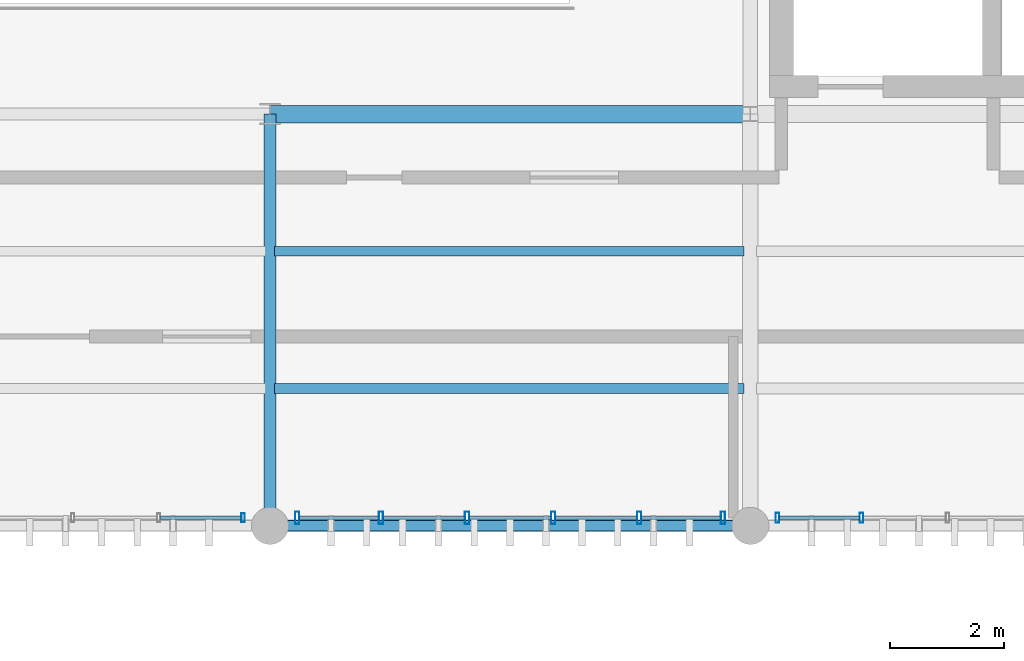
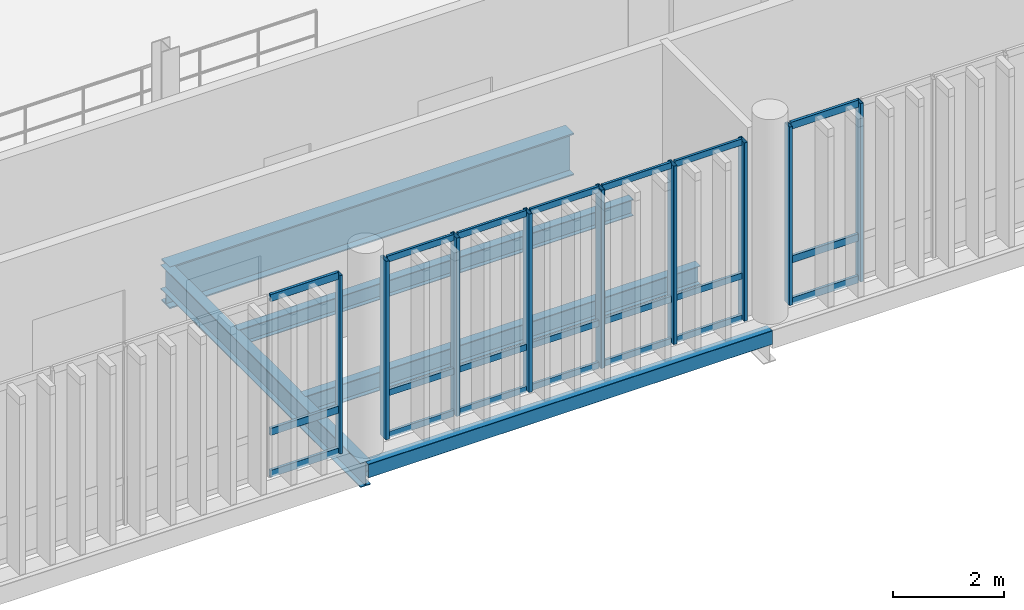
# One storey, part 23 of 66: 30 members, 5 beams, 3 elements without a shape of their own.
"""IFC4 building model written with IfcOpenShell, lengths in metres."""

from ifc_helpers import new_model, si_unit, direction, frame, origin_with_axes, origin_2d_with_axis, place, context, subcontext, project, spatial, hollow_rectangle, i_section, extrude, material, material_profile, profile_set, type_object, element, aggregate, save


model = new_model("IFC4")

# Units and contexts
model_context = context("Model", 3, precision=1e-05, world=origin_with_axes(), true_north=direction((0.0, 1.0)))
body_context = subcontext(model_context, "Body", "Model", "MODEL_VIEW")
ifc_project = project(units=[si_unit("LENGTHUNIT", "METRE"), si_unit("AREAUNIT", "SQUARE_METRE"), si_unit("VOLUMEUNIT", "CUBIC_METRE"), si_unit("PLANEANGLEUNIT", "RADIAN"), si_unit("MASSUNIT", "GRAM", prefix="KILO"), si_unit("THERMODYNAMICTEMPERATUREUNIT", "KELVIN")], contexts=[model_context])

# Site, building, storey
site_placement = place(None, origin_with_axes())
site = spatial("IfcSite", under=ifc_project, at=site_placement, CompositionType="ELEMENT")
building_placement = place(site_placement, origin_with_axes())
building = spatial("IfcBuilding", under=site, at=building_placement, Name="Montbau Bow Law Courts", CompositionType="ELEMENT")
storey_placement = place(building_placement, frame((0.0, 0.0, 34.5), z_axis=(0.0, 0.0, 1.0), x_axis=(1.0, 0.0, 0.0)))
storey = spatial("IfcBuildingStorey", under=building, at=storey_placement, Name="L07", CompositionType="ELEMENT", Elevation=34.5)

# Beams
ifc_material_1 = material(Name="Steel CSA G40.21 Grade 350W (350 MPa)", Category="steel")
ifc_material_profile_1 = material_profile(ifc_material_1, i_section(OverallWidth=0.306, OverallDepth=0.919, WebThickness=0.0173, FlangeThickness=0.0279, at=origin_2d_with_axis()), Name="W920X253", Category="Main", Priority=0)
ifc_profile_set_1 = profile_set([ifc_material_profile_1], Name="Steel CSA G40.21 Grade 350W (350 MPa)")
beam_type_1 = type_object("IfcBeamType", Name="B-FLR-01", PredefinedType="BEAM", material=ifc_profile_set_1)
beam_1_placement = place(None, frame((72.0, 46.2, 33.741), z_axis=(1.0, 0.0, 0.0), x_axis=(0.0, 1.0, 0.0)))
element("IfcBeam", 1, at=beam_1_placement, inside=storey, type_object=beam_type_1, Name="BM-L07-S1026:bm2_1029", PredefinedType="BEAM", context=body_context, shape_type="SweptSolid", body=[
    extrude(i_section(OverallWidth=0.306, OverallDepth=0.919, WebThickness=0.0173, FlangeThickness=0.0279, at=origin_2d_with_axis()), origin_with_axes(), (0.0, 0.0, 1.0), 8.4),
])
ifc_material_profile_2 = material_profile(ifc_material_1, i_section(OverallWidth=0.21, OverallDepth=0.537, WebThickness=0.0109, FlangeThickness=0.0174, at=origin_2d_with_axis()), Name="W530X101", Category="Main", Priority=0)
ifc_profile_set_2 = profile_set([ifc_material_profile_2], Name="Steel CSA G40.21 Grade 350W (350 MPa)")
beam_type_2 = type_object("IfcBeamType", Name="B-FLR-06", PredefinedType="BEAM", material=ifc_profile_set_2)
beam_2_placement = place(None, frame((72.0, 39.0, 33.931), z_axis=(0.0, 1.0, 0.0), x_axis=(-1.0, 0.0, 0.0)))
element("IfcBeam", 2, at=beam_2_placement, inside=storey, type_object=beam_type_2, Name="BM-L07-S1048:bm2_1051", PredefinedType="BEAM", context=body_context, shape_type="SweptSolid", body=[
    extrude(i_section(OverallWidth=0.21, OverallDepth=0.537, WebThickness=0.0109, FlangeThickness=0.0174, at=origin_2d_with_axis()), origin_with_axes(), (0.0, 0.0, 1.0), 7.2),
])
ifc_material_profile_3 = material_profile(ifc_material_1, i_section(OverallWidth=0.179, OverallDepth=0.41, WebThickness=0.0088, FlangeThickness=0.0144, at=origin_2d_with_axis()), Name="W410X67", Category="Main", Priority=0)
ifc_profile_set_3 = profile_set([ifc_material_profile_3], Name="Steel CSA G40.21 Grade 350W (350 MPa)")
beam_type_3 = type_object("IfcBeamType", Name="B-JST-02", PredefinedType="JOIST", material=ifc_profile_set_3)
beam_3_placement = place(None, frame((72.081, 41.4, 33.995), z_axis=(1.0, 0.0, 0.0), x_axis=(0.0, 1.0, 0.0)))
element("IfcBeam", 3, at=beam_3_placement, inside=storey, type_object=beam_type_3, Name="JST-L07-S0533:jst2_0533", PredefinedType="JOIST", context=body_context, shape_type="SweptSolid", body=[
    extrude(i_section(OverallWidth=0.179, OverallDepth=0.41, WebThickness=0.0088, FlangeThickness=0.0144, at=origin_2d_with_axis()), origin_with_axes(), (0.0, 0.0, 1.0), 8.21),
])
ifc_material_profile_4 = material_profile(ifc_material_1, i_section(OverallWidth=0.172, OverallDepth=0.358, WebThickness=0.0079, FlangeThickness=0.0131, at=origin_2d_with_axis()), Name="W360X57", Category="Main", Priority=0)
ifc_profile_set_4 = profile_set([ifc_material_profile_4], Name="Steel CSA G40.21 Grade 350W (350 MPa)")
beam_type_4 = type_object("IfcBeamType", Name="B-JST-03", PredefinedType="JOIST", material=ifc_profile_set_4)
beam_4_placement = place(None, frame((72.081, 43.8, 34.021), z_axis=(1.0, 0.0, 0.0), x_axis=(0.0, 1.0, 0.0)))
element("IfcBeam", 4, at=beam_4_placement, inside=storey, type_object=beam_type_4, Name="JST-L07-S0534:jst2_0534", PredefinedType="JOIST", context=body_context, shape_type="SweptSolid", body=[
    extrude(i_section(OverallWidth=0.172, OverallDepth=0.358, WebThickness=0.0079, FlangeThickness=0.0131, at=origin_2d_with_axis()), origin_with_axes(), (0.0, 0.0, 1.0), 8.21),
])
ifc_material_2 = material(Name="Steel CSA G40.21 Grade 350WT (350 MPa)", Category="steel")
ifc_material_profile_5 = material_profile(ifc_material_2, hollow_rectangle(XDim=0.203, YDim=0.305, WallThickness=0.0127, InnerFilletRadius=0.0254, OuterFilletRadius=0.0127, at=origin_2d_with_axis()), Name="HSS305X203X13", Category="Main", Priority=0)
ifc_profile_set_5 = profile_set([ifc_material_profile_5], Name="Steel CSA G40.21 Grade 350WT (350 MPa)")
beam_type_5 = type_object("IfcBeamType", Name="B-SPN-02", PredefinedType="SPANDREL", material=ifc_profile_set_5)
beam_5_placement = place(None, frame((72.0, 39.0, 34.047), z_axis=(1.0, 0.0, 0.0), x_axis=(0.0, 1.0, 0.0)))
element("IfcBeam", 5, at=beam_5_placement, inside=storey, type_object=beam_type_5, Name="SPN-L07-S1020:bm2_1023", PredefinedType="SPANDREL", context=body_context, shape_type="SweptSolid", body=[
    extrude(hollow_rectangle(XDim=0.203, YDim=0.305, WallThickness=0.0127, InnerFilletRadius=0.0254, OuterFilletRadius=0.0127, at=origin_2d_with_axis()), origin_with_axes(), (0.0, 0.0, 1.0), 8.4),
])

# Curtain wall, members
ifc_material_3 = material(Name="Thermally Broken Extruded Aluminium AA 6063-T6", Category="aluminium")
curtain_wall_type = type_object("IfcCurtainWallType", Name="CW-CRM-02", PredefinedType="NOTDEFINED", material=ifc_material_3)
curtain_wall_1_placement = place(None, frame((72.44, 39.14, 34.5), z_axis=(0.0, 0.0, 1.0), x_axis=(1.0, 0.0, 0.0)))
curtain_wall_1 = element("IfcCurtainWall", 6, at=curtain_wall_1_placement, inside=storey, type_object=curtain_wall_type, Name="CW-L07-243:cw_0243", PredefinedType="NOTDEFINED")
ifc_material_profile_6 = material_profile(ifc_material_3, hollow_rectangle(XDim=0.075, YDim=0.22, WallThickness=0.005, InnerFilletRadius=0.01, OuterFilletRadius=0.005, at=origin_2d_with_axis()), Name="CWM-220X75", Category="Main", Priority=0)
ifc_profile_set_6 = profile_set([ifc_material_profile_6], Name="Thermally Broken Extruded Aluminium AA 6063-T6")
member_type_1 = type_object("IfcMemberType", Name="M-MUL-01", PredefinedType="MULLION", material=ifc_profile_set_6)
member_1_placement = place(None, frame((72.477, 39.14, 34.5), z_axis=(0.0, 0.0, 1.0), x_axis=(1.0, 0.0, 0.0)))
member_1 = element("IfcMember", 7, at=member_1_placement, type_object=member_type_1, Name="CW-L07-243-M01:cw_0243_M01", PredefinedType="MULLION", context=body_context, shape_type="SweptSolid", body=[
    extrude(hollow_rectangle(XDim=0.075, YDim=0.22, WallThickness=0.005, InnerFilletRadius=0.01, OuterFilletRadius=0.005, at=origin_2d_with_axis()), origin_with_axes(), (0.0, 0.0, 1.0), 3.92),
])
member_2_placement = place(None, frame((73.944, 39.14, 34.5), z_axis=(0.0, 0.0, 1.0), x_axis=(1.0, 0.0, 0.0)))
member_2 = element("IfcMember", 8, at=member_2_placement, type_object=member_type_1, Name="CW-L07-243-M02:cw_0243_M02", PredefinedType="MULLION", context=body_context, shape_type="SweptSolid", body=[
    extrude(hollow_rectangle(XDim=0.075, YDim=0.22, WallThickness=0.005, InnerFilletRadius=0.01, OuterFilletRadius=0.005, at=origin_2d_with_axis()), origin_with_axes(), (0.0, 0.0, 1.0), 3.92),
])
member_3_placement = place(None, frame((75.448, 39.14, 34.5), z_axis=(0.0, 0.0, 1.0), x_axis=(1.0, 0.0, 0.0)))
member_3 = element("IfcMember", 9, at=member_3_placement, type_object=member_type_1, Name="CW-L07-243-M03:cw_0243_M03", PredefinedType="MULLION", context=body_context, shape_type="SweptSolid", body=[
    extrude(hollow_rectangle(XDim=0.075, YDim=0.22, WallThickness=0.005, InnerFilletRadius=0.01, OuterFilletRadius=0.005, at=origin_2d_with_axis()), origin_with_axes(), (0.0, 0.0, 1.0), 3.92),
])
member_4_placement = place(None, frame((76.952, 39.14, 34.5), z_axis=(0.0, 0.0, 1.0), x_axis=(1.0, 0.0, 0.0)))
member_4 = element("IfcMember", 10, at=member_4_placement, type_object=member_type_1, Name="CW-L07-243-M04:cw_0243_M04", PredefinedType="MULLION", context=body_context, shape_type="SweptSolid", body=[
    extrude(hollow_rectangle(XDim=0.075, YDim=0.22, WallThickness=0.005, InnerFilletRadius=0.01, OuterFilletRadius=0.005, at=origin_2d_with_axis()), origin_with_axes(), (0.0, 0.0, 1.0), 3.92),
])
member_5_placement = place(None, frame((78.456, 39.14, 34.5), z_axis=(0.0, 0.0, 1.0), x_axis=(1.0, 0.0, 0.0)))
member_5 = element("IfcMember", 11, at=member_5_placement, type_object=member_type_1, Name="CW-L07-243-M05:cw_0243_M05", PredefinedType="MULLION", context=body_context, shape_type="SweptSolid", body=[
    extrude(hollow_rectangle(XDim=0.075, YDim=0.22, WallThickness=0.005, InnerFilletRadius=0.01, OuterFilletRadius=0.005, at=origin_2d_with_axis()), origin_with_axes(), (0.0, 0.0, 1.0), 3.92),
])
member_6_placement = place(None, frame((79.922, 39.14, 34.5), z_axis=(0.0, 0.0, 1.0), x_axis=(1.0, 0.0, 0.0)))
member_6 = element("IfcMember", 12, at=member_6_placement, type_object=member_type_1, Name="CW-L07-243-M06:cw_0243_M06", PredefinedType="MULLION", context=body_context, shape_type="SweptSolid", body=[
    extrude(hollow_rectangle(XDim=0.075, YDim=0.22, WallThickness=0.005, InnerFilletRadius=0.01, OuterFilletRadius=0.005, at=origin_2d_with_axis()), origin_with_axes(), (0.0, 0.0, 1.0), 3.92),
])

curtain_wall_2_placement = place(None, frame((80.84, 39.14, 34.5), z_axis=(0.0, 0.0, 1.0), x_axis=(1.0, 0.0, 0.0)))
curtain_wall_2 = element("IfcCurtainWall", 13, at=curtain_wall_2_placement, inside=storey, type_object=curtain_wall_type, Name="CW-L07-244:cw_0244", PredefinedType="NOTDEFINED")
ifc_material_profile_7 = material_profile(ifc_material_3, hollow_rectangle(XDim=0.065, YDim=0.18, WallThickness=0.005, InnerFilletRadius=0.01, OuterFilletRadius=0.005, at=origin_2d_with_axis()), Name="CWM-180X65", Category="Main", Priority=0)
ifc_profile_set_7 = profile_set([ifc_material_profile_7], Name="Thermally Broken Extruded Aluminium AA 6063-T6")
member_type_2 = type_object("IfcMemberType", Name="M-MUL-02", PredefinedType="MULLION", material=ifc_profile_set_7)
member_7_placement = place(None, frame((80.873, 39.14, 34.5), z_axis=(0.0, 0.0, 1.0), x_axis=(1.0, 0.0, 0.0)))
member_7 = element("IfcMember", 14, at=member_7_placement, type_object=member_type_2, Name="CW-L07-244-M01:cw_0244_M01", PredefinedType="MULLION", context=body_context, shape_type="SweptSolid", body=[
    extrude(hollow_rectangle(XDim=0.065, YDim=0.18, WallThickness=0.005, InnerFilletRadius=0.01, OuterFilletRadius=0.005, at=origin_2d_with_axis()), origin_with_axes(), (0.0, 0.0, 1.0), 3.92),
])
member_8_placement = place(None, frame((82.344, 39.14, 34.5), z_axis=(0.0, 0.0, 1.0), x_axis=(1.0, 0.0, 0.0)))
member_8 = element("IfcMember", 15, at=member_8_placement, type_object=member_type_2, Name="CW-L07-244-M02:cw_0244_M02", PredefinedType="MULLION", context=body_context, shape_type="SweptSolid", body=[
    extrude(hollow_rectangle(XDim=0.065, YDim=0.18, WallThickness=0.005, InnerFilletRadius=0.01, OuterFilletRadius=0.005, at=origin_2d_with_axis()), origin_with_axes(), (0.0, 0.0, 1.0), 3.92),
])

curtain_wall_3_placement = place(None, frame((64.04, 39.14, 34.5), z_axis=(0.0, 0.0, 1.0), x_axis=(1.0, 0.0, 0.0)))
curtain_wall_3 = element("IfcCurtainWall", 16, at=curtain_wall_3_placement, inside=storey, type_object=curtain_wall_type, Name="CW-L07-242:cw_0242", PredefinedType="NOTDEFINED")
ifc_material_profile_8 = material_profile(ifc_material_3, hollow_rectangle(XDim=0.06, YDim=0.16, WallThickness=0.004, InnerFilletRadius=0.008, OuterFilletRadius=0.004, at=origin_2d_with_axis()), Name="CWM-160X60", Category="Main", Priority=0)
ifc_profile_set_8 = profile_set([ifc_material_profile_8], Name="Thermally Broken Extruded Aluminium AA 6063-T6")
member_type_3 = type_object("IfcMemberType", Name="M-MUL-03", PredefinedType="MULLION", material=ifc_profile_set_8)
member_9_placement = place(None, frame((71.53, 39.14, 34.5), z_axis=(0.0, 0.0, 1.0), x_axis=(1.0, 0.0, 0.0)))
member_9 = element("IfcMember", 17, at=member_9_placement, type_object=member_type_3, Name="CW-L07-242-M06:cw_0242_M06", PredefinedType="MULLION", context=body_context, shape_type="SweptSolid", body=[
    extrude(hollow_rectangle(XDim=0.06, YDim=0.16, WallThickness=0.004, InnerFilletRadius=0.008, OuterFilletRadius=0.004, at=origin_2d_with_axis()), origin_with_axes(), (0.0, 0.0, 1.0), 3.92),
])
ifc_material_profile_9 = material_profile(ifc_material_3, hollow_rectangle(XDim=0.06, YDim=0.16, WallThickness=0.004, InnerFilletRadius=0.008, OuterFilletRadius=0.004, at=origin_2d_with_axis()), Name="CWT-160X60", Category="Main", Priority=0)
ifc_profile_set_9 = profile_set([ifc_material_profile_9], Name="Thermally Broken Extruded Aluminium AA 6063-T6")
member_type_4 = type_object("IfcMemberType", Name="M-TRN-01", PredefinedType="USERDEFINED", material=ifc_profile_set_9)
member_10_placement = place(None, frame((70.088, 39.14, 34.53), z_axis=(1.0, 0.0, 0.0), x_axis=(0.0, 1.0, 0.0)))
member_10 = element("IfcMember", 18, at=member_10_placement, type_object=member_type_4, Name="CW-L07-242-T05-1:cw_0242_T05_1", ObjectType="TRANSOM", PredefinedType="USERDEFINED", context=body_context, shape_type="SweptSolid", body=[
    extrude(hollow_rectangle(XDim=0.06, YDim=0.16, WallThickness=0.004, InnerFilletRadius=0.008, OuterFilletRadius=0.004, at=origin_2d_with_axis()), origin_with_axes(), (0.0, 0.0, 1.0), 1.41),
])
member_11_placement = place(None, frame((70.088, 39.14, 35.45), z_axis=(1.0, 0.0, 0.0), x_axis=(0.0, 1.0, 0.0)))
member_11 = element("IfcMember", 19, at=member_11_placement, type_object=member_type_4, Name="CW-L07-242-T05-2:cw_0242_T05_2", ObjectType="TRANSOM", PredefinedType="USERDEFINED", context=body_context, shape_type="SweptSolid", body=[
    extrude(hollow_rectangle(XDim=0.06, YDim=0.16, WallThickness=0.004, InnerFilletRadius=0.008, OuterFilletRadius=0.004, at=origin_2d_with_axis()), origin_with_axes(), (0.0, 0.0, 1.0), 1.41),
])
member_12_placement = place(None, frame((70.088, 39.14, 38.39), z_axis=(1.0, 0.0, 0.0), x_axis=(0.0, 1.0, 0.0)))
member_12 = element("IfcMember", 20, at=member_12_placement, type_object=member_type_4, Name="CW-L07-242-T05-3:cw_0242_T05_3", ObjectType="TRANSOM", PredefinedType="USERDEFINED", context=body_context, shape_type="SweptSolid", body=[
    extrude(hollow_rectangle(XDim=0.06, YDim=0.16, WallThickness=0.004, InnerFilletRadius=0.008, OuterFilletRadius=0.004, at=origin_2d_with_axis()), origin_with_axes(), (0.0, 0.0, 1.0), 1.41),
])
aggregate(curtain_wall_3, [member_9, member_10, member_11, member_12])

# Member
member_13_placement = place(None, frame((80.908, 39.14, 34.53), z_axis=(1.0, 0.0, 0.0), x_axis=(0.0, 1.0, 0.0)))
member_13 = element("IfcMember", 21, at=member_13_placement, type_object=member_type_4, Name="CW-L07-244-T01-1:cw_0244_T01_1", ObjectType="TRANSOM", PredefinedType="USERDEFINED", context=body_context, shape_type="SweptSolid", body=[
    extrude(hollow_rectangle(XDim=0.06, YDim=0.16, WallThickness=0.004, InnerFilletRadius=0.008, OuterFilletRadius=0.004, at=origin_2d_with_axis()), origin_with_axes(), (0.0, 0.0, 1.0), 1.402),
])

member_14_placement = place(None, frame((80.908, 39.14, 35.45), z_axis=(1.0, 0.0, 0.0), x_axis=(0.0, 1.0, 0.0)))
member_14 = element("IfcMember", 22, at=member_14_placement, type_object=member_type_4, Name="CW-L07-244-T01-2:cw_0244_T01_2", ObjectType="TRANSOM", PredefinedType="USERDEFINED", context=body_context, shape_type="SweptSolid", body=[
    extrude(hollow_rectangle(XDim=0.06, YDim=0.16, WallThickness=0.004, InnerFilletRadius=0.008, OuterFilletRadius=0.004, at=origin_2d_with_axis()), origin_with_axes(), (0.0, 0.0, 1.0), 1.402),
])

member_15_placement = place(None, frame((80.908, 39.14, 38.39), z_axis=(1.0, 0.0, 0.0), x_axis=(0.0, 1.0, 0.0)))
member_15 = element("IfcMember", 23, at=member_15_placement, type_object=member_type_4, Name="CW-L07-244-T01-3:cw_0244_T01_3", ObjectType="TRANSOM", PredefinedType="USERDEFINED", context=body_context, shape_type="SweptSolid", body=[
    extrude(hollow_rectangle(XDim=0.06, YDim=0.16, WallThickness=0.004, InnerFilletRadius=0.008, OuterFilletRadius=0.004, at=origin_2d_with_axis()), origin_with_axes(), (0.0, 0.0, 1.0), 1.402),
])

aggregate(curtain_wall_2, [member_7, member_8, member_13, member_14, member_15])

ifc_material_profile_10 = material_profile(ifc_material_3, hollow_rectangle(XDim=0.055, YDim=0.14, WallThickness=0.004, InnerFilletRadius=0.008, OuterFilletRadius=0.004, at=origin_2d_with_axis()), Name="CWT-140X55", Category="Main", Priority=0)
ifc_profile_set_10 = profile_set([ifc_material_profile_10], Name="Thermally Broken Extruded Aluminium AA 6063-T6")
member_type_5 = type_object("IfcMemberType", Name="M-TRN-02", PredefinedType="USERDEFINED", material=ifc_profile_set_10)
member_16_placement = place(None, frame((72.516, 39.14, 34.528), z_axis=(1.0, 0.0, 0.0), x_axis=(0.0, 1.0, 0.0)))
member_16 = element("IfcMember", 24, at=member_16_placement, type_object=member_type_5, Name="CW-L07-243-T01-1:cw_0243_T01_1", ObjectType="TRANSOM", PredefinedType="USERDEFINED", context=body_context, shape_type="SweptSolid", body=[
    extrude(hollow_rectangle(XDim=0.055, YDim=0.14, WallThickness=0.004, InnerFilletRadius=0.008, OuterFilletRadius=0.004, at=origin_2d_with_axis()), origin_with_axes(), (0.0, 0.0, 1.0), 1.388),
])

member_17_placement = place(None, frame((72.516, 39.14, 35.45), z_axis=(1.0, 0.0, 0.0), x_axis=(0.0, 1.0, 0.0)))
member_17 = element("IfcMember", 25, at=member_17_placement, type_object=member_type_5, Name="CW-L07-243-T01-2:cw_0243_T01_2", ObjectType="TRANSOM", PredefinedType="USERDEFINED", context=body_context, shape_type="SweptSolid", body=[
    extrude(hollow_rectangle(XDim=0.055, YDim=0.14, WallThickness=0.004, InnerFilletRadius=0.008, OuterFilletRadius=0.004, at=origin_2d_with_axis()), origin_with_axes(), (0.0, 0.0, 1.0), 1.388),
])

member_18_placement = place(None, frame((72.516, 39.14, 38.392), z_axis=(1.0, 0.0, 0.0), x_axis=(0.0, 1.0, 0.0)))
member_18 = element("IfcMember", 26, at=member_18_placement, type_object=member_type_5, Name="CW-L07-243-T01-3:cw_0243_T01_3", ObjectType="TRANSOM", PredefinedType="USERDEFINED", context=body_context, shape_type="SweptSolid", body=[
    extrude(hollow_rectangle(XDim=0.055, YDim=0.14, WallThickness=0.004, InnerFilletRadius=0.008, OuterFilletRadius=0.004, at=origin_2d_with_axis()), origin_with_axes(), (0.0, 0.0, 1.0), 1.388),
])

member_19_placement = place(None, frame((73.984, 39.14, 34.528), z_axis=(1.0, 0.0, 0.0), x_axis=(0.0, 1.0, 0.0)))
member_19 = element("IfcMember", 27, at=member_19_placement, type_object=member_type_5, Name="CW-L07-243-T02-1:cw_0243_T02_1", ObjectType="TRANSOM", PredefinedType="USERDEFINED", context=body_context, shape_type="SweptSolid", body=[
    extrude(hollow_rectangle(XDim=0.055, YDim=0.14, WallThickness=0.004, InnerFilletRadius=0.008, OuterFilletRadius=0.004, at=origin_2d_with_axis()), origin_with_axes(), (0.0, 0.0, 1.0), 1.425),
])

member_20_placement = place(None, frame((73.984, 39.14, 35.45), z_axis=(1.0, 0.0, 0.0), x_axis=(0.0, 1.0, 0.0)))
member_20 = element("IfcMember", 28, at=member_20_placement, type_object=member_type_5, Name="CW-L07-243-T02-2:cw_0243_T02_2", ObjectType="TRANSOM", PredefinedType="USERDEFINED", context=body_context, shape_type="SweptSolid", body=[
    extrude(hollow_rectangle(XDim=0.055, YDim=0.14, WallThickness=0.004, InnerFilletRadius=0.008, OuterFilletRadius=0.004, at=origin_2d_with_axis()), origin_with_axes(), (0.0, 0.0, 1.0), 1.425),
])

member_21_placement = place(None, frame((73.984, 39.14, 38.392), z_axis=(1.0, 0.0, 0.0), x_axis=(0.0, 1.0, 0.0)))
member_21 = element("IfcMember", 29, at=member_21_placement, type_object=member_type_5, Name="CW-L07-243-T02-3:cw_0243_T02_3", ObjectType="TRANSOM", PredefinedType="USERDEFINED", context=body_context, shape_type="SweptSolid", body=[
    extrude(hollow_rectangle(XDim=0.055, YDim=0.14, WallThickness=0.004, InnerFilletRadius=0.008, OuterFilletRadius=0.004, at=origin_2d_with_axis()), origin_with_axes(), (0.0, 0.0, 1.0), 1.425),
])

member_22_placement = place(None, frame((75.487, 39.14, 34.528), z_axis=(1.0, 0.0, 0.0), x_axis=(0.0, 1.0, 0.0)))
member_22 = element("IfcMember", 30, at=member_22_placement, type_object=member_type_5, Name="CW-L07-243-T03-1:cw_0243_T03_1", ObjectType="TRANSOM", PredefinedType="USERDEFINED", context=body_context, shape_type="SweptSolid", body=[
    extrude(hollow_rectangle(XDim=0.055, YDim=0.14, WallThickness=0.004, InnerFilletRadius=0.008, OuterFilletRadius=0.004, at=origin_2d_with_axis()), origin_with_axes(), (0.0, 0.0, 1.0), 1.426),
])

member_23_placement = place(None, frame((75.487, 39.14, 35.45), z_axis=(1.0, 0.0, 0.0), x_axis=(0.0, 1.0, 0.0)))
member_23 = element("IfcMember", 31, at=member_23_placement, type_object=member_type_5, Name="CW-L07-243-T03-2:cw_0243_T03_2", ObjectType="TRANSOM", PredefinedType="USERDEFINED", context=body_context, shape_type="SweptSolid", body=[
    extrude(hollow_rectangle(XDim=0.055, YDim=0.14, WallThickness=0.004, InnerFilletRadius=0.008, OuterFilletRadius=0.004, at=origin_2d_with_axis()), origin_with_axes(), (0.0, 0.0, 1.0), 1.426),
])

member_24_placement = place(None, frame((75.487, 39.14, 38.392), z_axis=(1.0, 0.0, 0.0), x_axis=(0.0, 1.0, 0.0)))
member_24 = element("IfcMember", 32, at=member_24_placement, type_object=member_type_5, Name="CW-L07-243-T03-3:cw_0243_T03_3", ObjectType="TRANSOM", PredefinedType="USERDEFINED", context=body_context, shape_type="SweptSolid", body=[
    extrude(hollow_rectangle(XDim=0.055, YDim=0.14, WallThickness=0.004, InnerFilletRadius=0.008, OuterFilletRadius=0.004, at=origin_2d_with_axis()), origin_with_axes(), (0.0, 0.0, 1.0), 1.426),
])

member_25_placement = place(None, frame((76.991, 39.14, 34.528), z_axis=(1.0, 0.0, 0.0), x_axis=(0.0, 1.0, 0.0)))
member_25 = element("IfcMember", 33, at=member_25_placement, type_object=member_type_5, Name="CW-L07-243-T04-1:cw_0243_T04_1", ObjectType="TRANSOM", PredefinedType="USERDEFINED", context=body_context, shape_type="SweptSolid", body=[
    extrude(hollow_rectangle(XDim=0.055, YDim=0.14, WallThickness=0.004, InnerFilletRadius=0.008, OuterFilletRadius=0.004, at=origin_2d_with_axis()), origin_with_axes(), (0.0, 0.0, 1.0), 1.426),
])

member_26_placement = place(None, frame((76.991, 39.14, 35.45), z_axis=(1.0, 0.0, 0.0), x_axis=(0.0, 1.0, 0.0)))
member_26 = element("IfcMember", 34, at=member_26_placement, type_object=member_type_5, Name="CW-L07-243-T04-2:cw_0243_T04_2", ObjectType="TRANSOM", PredefinedType="USERDEFINED", context=body_context, shape_type="SweptSolid", body=[
    extrude(hollow_rectangle(XDim=0.055, YDim=0.14, WallThickness=0.004, InnerFilletRadius=0.008, OuterFilletRadius=0.004, at=origin_2d_with_axis()), origin_with_axes(), (0.0, 0.0, 1.0), 1.426),
])

member_27_placement = place(None, frame((76.991, 39.14, 38.392), z_axis=(1.0, 0.0, 0.0), x_axis=(0.0, 1.0, 0.0)))
member_27 = element("IfcMember", 35, at=member_27_placement, type_object=member_type_5, Name="CW-L07-243-T04-3:cw_0243_T04_3", ObjectType="TRANSOM", PredefinedType="USERDEFINED", context=body_context, shape_type="SweptSolid", body=[
    extrude(hollow_rectangle(XDim=0.055, YDim=0.14, WallThickness=0.004, InnerFilletRadius=0.008, OuterFilletRadius=0.004, at=origin_2d_with_axis()), origin_with_axes(), (0.0, 0.0, 1.0), 1.426),
])

member_28_placement = place(None, frame((78.495, 39.14, 34.528), z_axis=(1.0, 0.0, 0.0), x_axis=(0.0, 1.0, 0.0)))
member_28 = element("IfcMember", 36, at=member_28_placement, type_object=member_type_5, Name="CW-L07-243-T05-1:cw_0243_T05_1", ObjectType="TRANSOM", PredefinedType="USERDEFINED", context=body_context, shape_type="SweptSolid", body=[
    extrude(hollow_rectangle(XDim=0.055, YDim=0.14, WallThickness=0.004, InnerFilletRadius=0.008, OuterFilletRadius=0.004, at=origin_2d_with_axis()), origin_with_axes(), (0.0, 0.0, 1.0), 1.388),
])

member_29_placement = place(None, frame((78.495, 39.14, 35.45), z_axis=(1.0, 0.0, 0.0), x_axis=(0.0, 1.0, 0.0)))
member_29 = element("IfcMember", 37, at=member_29_placement, type_object=member_type_5, Name="CW-L07-243-T05-2:cw_0243_T05_2", ObjectType="TRANSOM", PredefinedType="USERDEFINED", context=body_context, shape_type="SweptSolid", body=[
    extrude(hollow_rectangle(XDim=0.055, YDim=0.14, WallThickness=0.004, InnerFilletRadius=0.008, OuterFilletRadius=0.004, at=origin_2d_with_axis()), origin_with_axes(), (0.0, 0.0, 1.0), 1.388),
])

member_30_placement = place(None, frame((78.495, 39.14, 38.392), z_axis=(1.0, 0.0, 0.0), x_axis=(0.0, 1.0, 0.0)))
member_30 = element("IfcMember", 38, at=member_30_placement, type_object=member_type_5, Name="CW-L07-243-T05-3:cw_0243_T05_3", ObjectType="TRANSOM", PredefinedType="USERDEFINED", context=body_context, shape_type="SweptSolid", body=[
    extrude(hollow_rectangle(XDim=0.055, YDim=0.14, WallThickness=0.004, InnerFilletRadius=0.008, OuterFilletRadius=0.004, at=origin_2d_with_axis()), origin_with_axes(), (0.0, 0.0, 1.0), 1.388),
])

aggregate(curtain_wall_1, [member_1, member_2, member_3, member_4, member_5, member_6, member_16, member_17, member_18, member_19, member_20, member_21, member_22, member_23, member_24, member_25, member_26, member_27, member_28, member_29, member_30])

save(model, "model.ifc")
